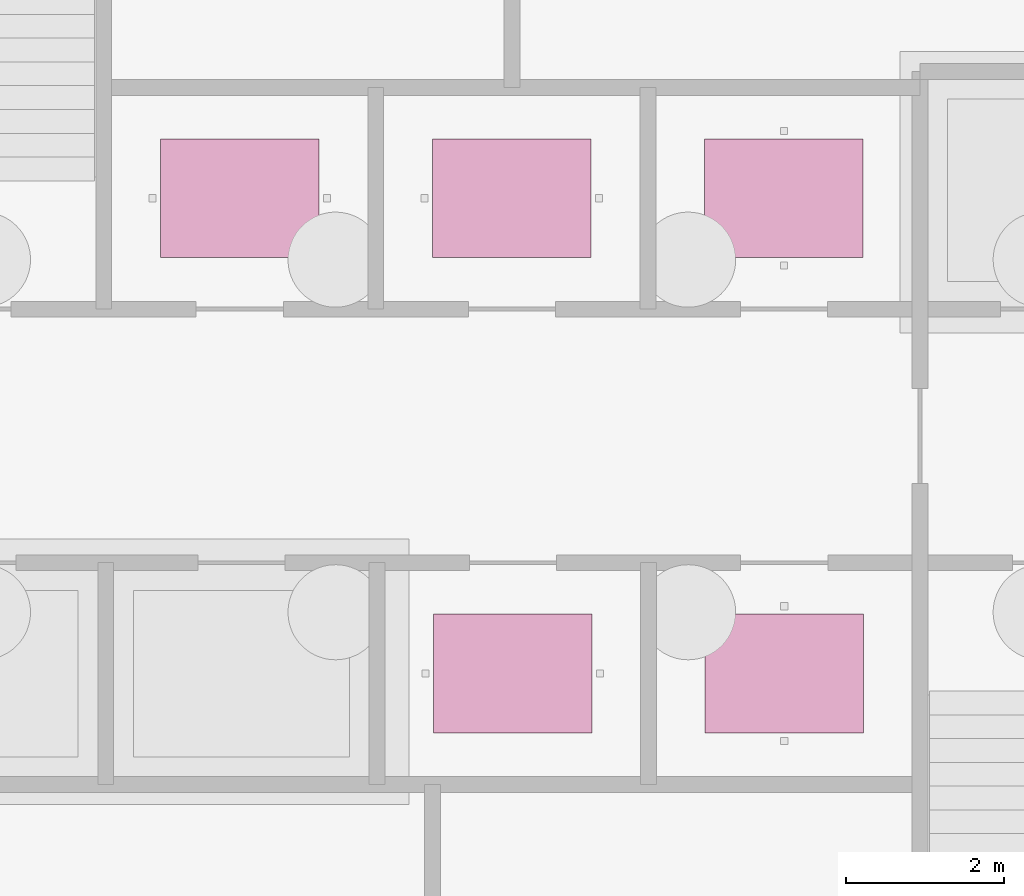
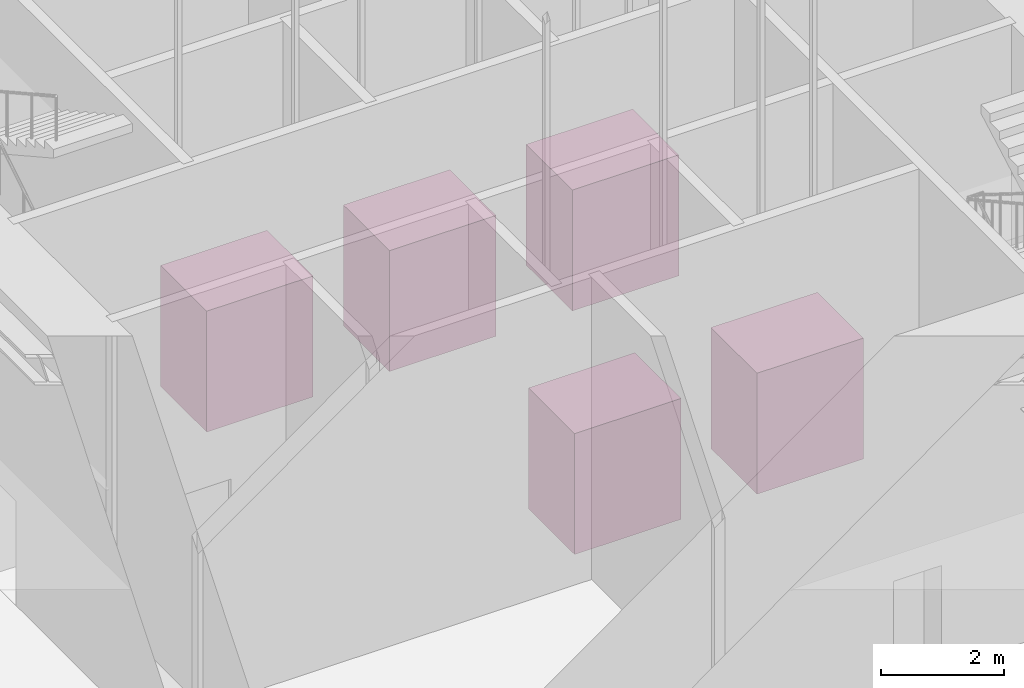
# One storey, part 37 of 37: 5 transport elements.
"""IFC4 building model written with IfcOpenShell, lengths in metres."""

from ifc_helpers import new_model, si_unit, direction, frame, origin, origin_2d, place, context, subcontext, project, spatial, rectangle, extrude, material, type_object, element, save


model = new_model("IFC4")

# Units and contexts
model_context = context("Model", 3, precision=1e-05, world=origin(), true_north=direction((0.0, 1.0)))
body_context = subcontext(model_context, "Body", "Model", "MODEL_VIEW")
ifc_project = project(units=[si_unit("LENGTHUNIT", "METRE"), si_unit("AREAUNIT", "SQUARE_METRE"), si_unit("VOLUMEUNIT", "CUBIC_METRE"), si_unit("PLANEANGLEUNIT", "RADIAN"), si_unit("MASSUNIT", "GRAM", prefix="KILO")], contexts=[model_context])

# Site, building, storey
site_placement = place(None, origin())
site = spatial("IfcSite", under=ifc_project, at=site_placement, CompositionType="ELEMENT")
building_placement = place(site_placement, origin())
building = spatial("IfcBuilding", under=site, at=building_placement, Name="Iwan Alto Co-Living Towers", CompositionType="ELEMENT")
storey_placement = place(building_placement, origin())
storey = spatial("IfcBuildingStorey", under=building, at=storey_placement, Name="L00", CompositionType="ELEMENT", Elevation=0.0)

# Transport elements
ifc_material_1 = material(Name="Steel lift car", Category="steel")
transport_element_type_1 = type_object("IfcTransportElementType", Name="P2 PASSENGER LIFT 2000X1500 1600 KG", PredefinedType="ELEVATOR", material=ifc_material_1)
transport_element_1_placement = place(storey_placement, frame((0.012451171875, -3.0, 0.0), z_axis=(0.0, 0.0, 1.0), x_axis=(1.0, 0.0, 0.0)))
element("IfcTransportElement", 1, at=transport_element_1_placement, inside=storey, type_object=transport_element_type_1, Name="Lift P2-3", PredefinedType="ELEVATOR", context=body_context, shape_type="SweptSolid", body=[
    extrude(rectangle(XDim=2.0, YDim=1.5, at=origin_2d()), origin(), (0.0, 0.0, 1.0), 2.4),
])
transport_element_2_placement = place(storey_placement, frame((3.4375, -3.0, 0.0), z_axis=(0.0, 0.0, 1.0), x_axis=(1.0, 0.0, 0.0)))
element("IfcTransportElement", 2, at=transport_element_2_placement, inside=storey, type_object=transport_element_type_1, Name="Lift P2-4", PredefinedType="ELEVATOR", context=body_context, shape_type="SweptSolid", body=[
    extrude(rectangle(XDim=2.0, YDim=1.5, at=origin_2d()), origin(), (0.0, 0.0, 1.0), 2.4),
])
ifc_material_2 = material(Name="Steel lift car", Category="steel")
transport_element_type_2 = type_object("IfcTransportElementType", Name="P3 PASSENGER LIFT 2000X1500 1600 KG", PredefinedType="ELEVATOR", material=ifc_material_2)
transport_element_3_placement = place(storey_placement, frame((-3.43359375, 3.0, 0.0), z_axis=(0.0, 0.0, 1.0), x_axis=(1.0, 0.0, 0.0)))
element("IfcTransportElement", 3, at=transport_element_3_placement, inside=storey, type_object=transport_element_type_2, Name="Lift P3-1", PredefinedType="ELEVATOR", context=body_context, shape_type="SweptSolid", body=[
    extrude(rectangle(XDim=2.0, YDim=1.5, at=origin_2d()), origin(), (0.0, 0.0, 1.0), 2.4),
])
transport_element_4_placement = place(storey_placement, frame((0.0, 3.0, 0.0), z_axis=(0.0, 0.0, 1.0), x_axis=(1.0, 0.0, 0.0)))
element("IfcTransportElement", 4, at=transport_element_4_placement, inside=storey, type_object=transport_element_type_2, Name="Lift P3-2", PredefinedType="ELEVATOR", context=body_context, shape_type="SweptSolid", body=[
    extrude(rectangle(XDim=2.0, YDim=1.5, at=origin_2d()), origin(), (0.0, 0.0, 1.0), 2.4),
])
ifc_material_3 = material(Name="Steel lift car", Category="steel")
transport_element_type_3 = type_object("IfcTransportElementType", Name="P4 PASSENGER LIFT 2000X1500 1600 KG", PredefinedType="ELEVATOR", material=ifc_material_3)
transport_element_5_placement = place(storey_placement, frame((3.43359375, 3.0, 0.0), z_axis=(0.0, 0.0, 1.0), x_axis=(1.0, 0.0, 0.0)))
element("IfcTransportElement", 5, at=transport_element_5_placement, inside=storey, type_object=transport_element_type_3, Name="Lift P4-3", PredefinedType="ELEVATOR", context=body_context, shape_type="SweptSolid", body=[
    extrude(rectangle(XDim=2.0, YDim=1.5, at=origin_2d()), origin(), (0.0, 0.0, 1.0), 2.4),
])

save(model, "model.ifc")
